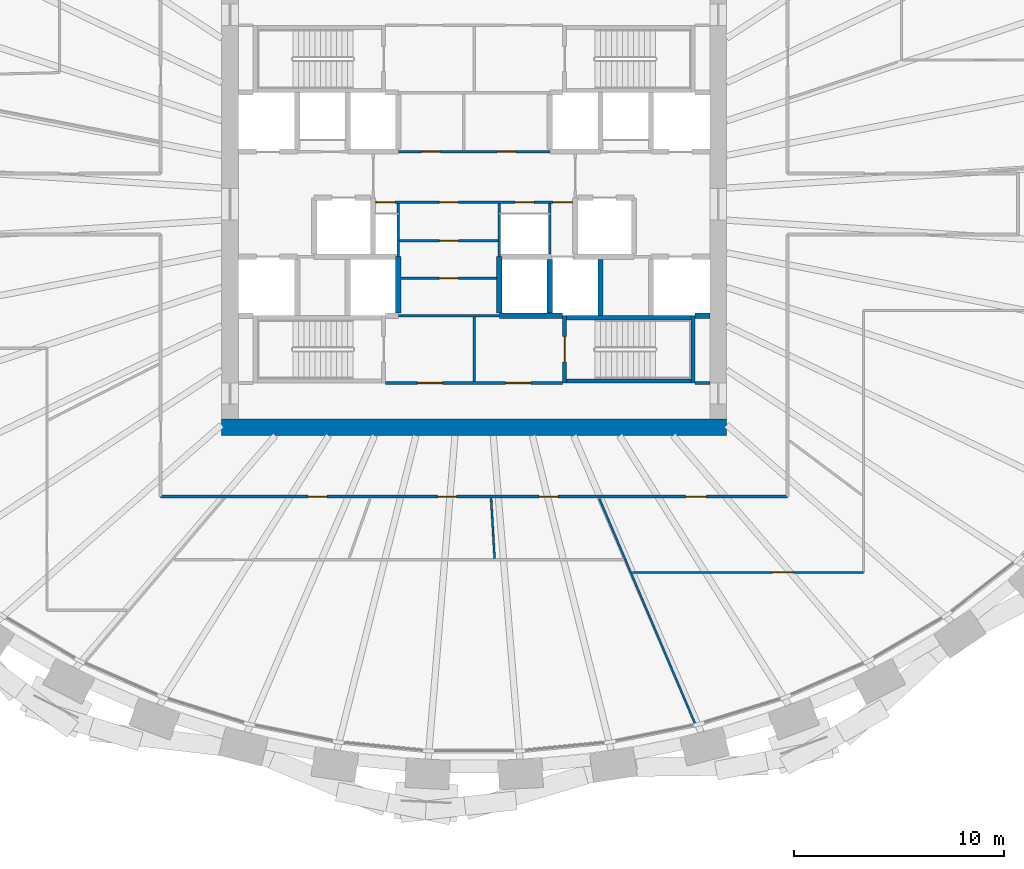
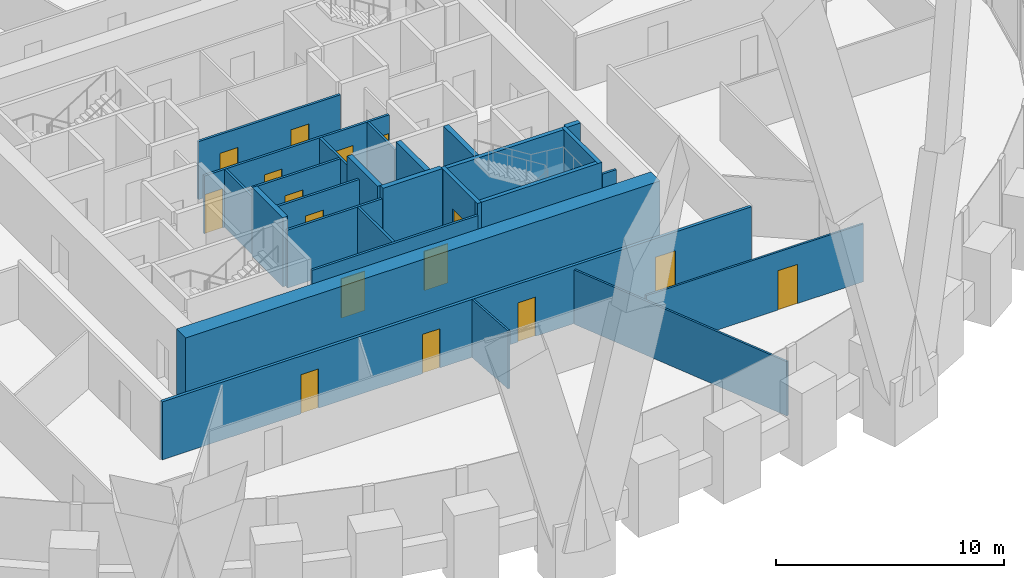
# One storey, part 8 of 12: 26 walls, 16 doors, 16 openings.
"""IFC4 building model written with IfcOpenShell, lengths in metres."""

from ifc_helpers import new_model, si_unit, direction, frame, frame_2d, origin, place, context, subcontext, project, spatial, rectangle, extrude, source, transform, mapped, material, layer, layer_set, type_object, element, fill, save


model = new_model("IFC4")

# Units and contexts
model_context = context("Model", 3, precision=1e-05, world=origin(), true_north=direction((0.0, 1.0)))
body_context = subcontext(model_context, "Body", "Model", "MODEL_VIEW")
ifc_project = project(units=[si_unit("LENGTHUNIT", "METRE"), si_unit("AREAUNIT", "SQUARE_METRE"), si_unit("VOLUMEUNIT", "CUBIC_METRE"), si_unit("PLANEANGLEUNIT", "RADIAN"), si_unit("MASSUNIT", "GRAM", prefix="KILO")], contexts=[model_context])

# Site, building, storey
site_placement = place(None, origin())
site = spatial("IfcSite", under=ifc_project, at=site_placement, CompositionType="ELEMENT")
building_placement = place(site_placement, origin())
building = spatial("IfcBuilding", under=site, at=building_placement, Name="Embergate Tower", CompositionType="ELEMENT")
storey_placement = place(building_placement, frame((0.0, 0.0, 222.89990234375)))
storey = spatial("IfcBuildingStorey", under=building, at=storey_placement, Name="L51", CompositionType="ELEMENT", Elevation=222.89990234375)

# Wall
ifc_material_1 = material(Name="Concrete C70", Category="concrete")
ifc_layer_1 = layer(ifc_material_1, 0.800048828125)
ifc_layer_set_1 = layer_set([ifc_layer_1], Name="Concrete C70")
wall_type_1 = type_object("IfcWallType", Name="Core outer wall C70 800", PredefinedType="SHEAR", material=ifc_layer_set_1)
shared_shape_1 = source(origin(), body_context, "Body", "SweptSolid", [
    extrude(rectangle(XDim=24.0, YDim=0.800048828125, at=frame_2d((12.0, 0.0))), origin(), (0.0, 0.0, 1.0), 3.900146484375),
])
wall_1_placement = place(storey_placement, frame((-12.0, -10.60009765625, -0.199951171875), z_axis=(0.0, 0.0, 1.0), x_axis=(1.0, 0.0, 0.0)))
element("IfcWall", 1, at=wall_1_placement, inside=storey, type_object=wall_type_1, Name="CW-L51-S", PredefinedType="SHEAR", context=body_context, shape_type="MappedRepresentation", body=[
    mapped(shared_shape_1, transform((0.0, 0.0, 0.0))),
])

# Wall, openings, doors
ifc_material_2 = material(Name="Core partition blockwork 120")
ifc_layer_2 = layer(ifc_material_2, 0.1201171875)
ifc_layer_set_2 = layer_set([ifc_layer_2], Name="Core partition blockwork 120")
wall_type_2 = type_object("IfcWallType", Name="Core partition blockwork 120", PredefinedType="PARTITIONING", material=ifc_layer_set_2)
shared_shape_2 = source(origin(), body_context, "Body", "SweptSolid", [
    extrude(rectangle(XDim=8.39990234375, YDim=0.1201171875, at=frame_2d((4.199951171875, 0.0))), origin(), (0.0, 0.0, 1.0), 3.10009765625),
])
wall_2_placement = place(storey_placement, frame((-4.199951171875, -8.5, 0.0), z_axis=(0.0, 0.0, 1.0), x_axis=(1.0, 0.0, 0.0)))
wall_2 = element("IfcWall", 2, at=wall_2_placement, inside=storey, type_object=wall_type_2, Name="IP-3 wall", PredefinedType="PARTITIONING", context=body_context, shape_type="MappedRepresentation", body=[
    mapped(shared_shape_2, transform((0.0, 0.0, 0.0))),
])
shared_shape_3 = source(origin(), body_context, "Body", "SweptSolid", [
    extrude(rectangle(XDim=1.199951171875, YDim=2.10009765625, at=frame_2d((0.60009765625, 1.050048828125))), frame((0.0, 0.070068359375, 0.0), z_axis=(0.0, -1.0, 0.0), x_axis=(1.0, 0.0, 0.0)), (0.0, 0.0, 1.0), 0.14013671875),
])
opening_1_placement = place(wall_2_placement, frame((1.5, 0.0, 0.0)))
opening_1 = element("IfcOpeningElement", 3, at=opening_1_placement, cuts=wall_2, Name="Opening IF-3f", PredefinedType="OPENING", context=body_context, shape_type="MappedRepresentation", body=[
    mapped(shared_shape_3, transform((0.0, 0.0, 0.0))),
])
opening_2_placement = place(wall_2_placement, frame((5.699951171875, 0.0, 0.0)))
opening_2 = element("IfcOpeningElement", 4, at=opening_2_placement, cuts=wall_2, Name="Opening IF-3f", PredefinedType="OPENING", context=body_context, shape_type="MappedRepresentation", body=[
    mapped(shared_shape_3, transform((0.0, 0.0, 0.0))),
])
ifc_material_3 = material(Name="Lobby fire door pair 1200")
door_type_1 = type_object("IfcDoorType", Name="Lobby fire door pair 1200", OperationType="DOUBLE_DOOR_SINGLE_SWING", PredefinedType="DOOR", material=ifc_material_3)
shared_shape_4 = source(origin(), body_context, "Body", "SweptSolid", [
    extrude(rectangle(XDim=1.199951171875, YDim=2.10009765625, at=frame_2d((0.60009765625, 1.050048828125))), frame((0.0, 0.02490234375, 0.0), z_axis=(0.0, -1.0, 0.0), x_axis=(1.0, 0.0, 0.0)), (0.0, 0.0, 1.0), 0.050048828125),
])
door_1_placement = place(opening_1_placement, origin())
door_1 = element("IfcDoor", 5, at=door_1_placement, inside=storey, type_object=door_type_1, Name="IF-3 door", OperationType="DOUBLE_DOOR_SINGLE_SWING", OverallHeight=2.10009765625, OverallWidth=1.199951171875, PredefinedType="DOOR", context=body_context, shape_type="MappedRepresentation", body=[
    mapped(shared_shape_4, transform((0.0, 0.0, 0.0))),
])
fill(opening_1, door_1)
door_2_placement = place(opening_2_placement, origin())
door_2 = element("IfcDoor", 6, at=door_2_placement, inside=storey, type_object=door_type_1, Name="IF-3 door", OperationType="DOUBLE_DOOR_SINGLE_SWING", OverallHeight=2.10009765625, OverallWidth=1.199951171875, PredefinedType="DOOR", context=body_context, shape_type="MappedRepresentation", body=[
    mapped(shared_shape_4, transform((0.0, 0.0, 0.0))),
])
fill(opening_2, door_2)

# Walls
ifc_material_4 = material(Name="Concrete C50", Category="concrete")
ifc_layer_3 = layer(ifc_material_4, 0.25)
ifc_layer_set_3 = layer_set([ifc_layer_3], Name="Concrete C50")
wall_type_3 = type_object("IfcWallType", Name="Hoistway wall reinforced concrete 250", PredefinedType="SHEAR", material=ifc_layer_set_3)
shared_shape_5 = source(origin(), body_context, "Body", "SweptSolid", [
    extrude(rectangle(XDim=2.675048828125, YDim=0.25, at=frame_2d((1.33740234375, 0.0))), origin(), (0.0, 0.0, 1.0), 3.7001953125),
])
for number, where, z_axis, x_axis, name in (
    (7, (-3.60009765625, -5.175048828125, 0.0), (0.0, 0.0, 1.0), (0.0, 1.0, 0.0), "HW-1 wall"),
    (8, (1.199951171875, -2.5, 0.0), (0.0, 0.0, 1.0), (0.0, -1.0, 0.0), "HW-1 wall"),
):
    element("IfcWall", number, at=place(storey_placement, frame(where, z_axis=z_axis, x_axis=x_axis)), inside=storey, type_object=wall_type_3, Name=name, PredefinedType="SHEAR", context=body_context, shape_type="MappedRepresentation", body=[
        mapped(shared_shape_5, transform((0.0, 0.0, 0.0))),
    ])
ifc_layer_4 = layer(ifc_material_4, 0.199951171875)
ifc_layer_set_4 = layer_set([ifc_layer_4], Name="Concrete C50")
wall_type_4 = type_object("IfcWallType", Name="Stair enclosure wall reinforced concrete 250", PredefinedType="SHEAR", material=ifc_layer_set_4)
shared_shape_6 = source(origin(), body_context, "Body", "SweptSolid", [
    extrude(rectangle(XDim=6.300048828125, YDim=0.199951171875, at=frame_2d((3.14990234375, 0.0))), origin(), (0.0, 0.0, 1.0), 3.7001953125),
])
for number, where, z_axis, x_axis, name in (
    (9, (4.199951171875, -5.39990234375, 0.0), (0.0, 0.0, 1.0), (1.0, 0.0, 0.0), "SE-1 wall"),
    (10, (4.199951171875, -8.39990234375, 0.0), (0.0, 0.0, 1.0), (1.0, 0.0, 0.0), "SE-1 wall"),
):
    element("IfcWall", number, at=place(storey_placement, frame(where, z_axis=z_axis, x_axis=x_axis)), inside=storey, type_object=wall_type_4, Name=name, PredefinedType="SHEAR", context=body_context, shape_type="MappedRepresentation", body=[
        mapped(shared_shape_6, transform((0.0, 0.0, 0.0))),
    ])
shared_shape_7 = source(origin(), body_context, "Body", "SweptSolid", [
    extrude(rectangle(XDim=2.550048828125, YDim=0.25, at=frame_2d((1.27490234375, 0.0))), origin(), (0.0, 0.0, 1.0), 3.7001953125),
])
wall_3_placement = place(storey_placement, frame((3.60009765625, -5.175048828125, 0.0), z_axis=(0.0, 0.0, 1.0), x_axis=(0.0, 1.0, 0.0)))
element("IfcWall", 11, at=wall_3_placement, inside=storey, type_object=wall_type_3, Name="HW-1 wall", PredefinedType="SHEAR", context=body_context, shape_type="MappedRepresentation", body=[
    mapped(shared_shape_7, transform((0.0, 0.0, 0.0))),
])

# Wall, opening, door
shared_shape_8 = source(origin(), body_context, "Body", "SweptSolid", [
    extrude(rectangle(XDim=3.199951171875, YDim=0.199951171875, at=frame_2d((1.60009765625, 0.0))), origin(), (0.0, 0.0, 1.0), 3.7001953125),
])
wall_4_placement = place(storey_placement, frame((4.300048828125, -5.300048828125, 0.0), z_axis=(0.0, 0.0, 1.0), x_axis=(0.0, -1.0, 0.0)))
wall_4 = element("IfcWall", 12, at=wall_4_placement, inside=storey, type_object=wall_type_4, Name="SE-1 wall", PredefinedType="SHEAR", context=body_context, shape_type="MappedRepresentation", body=[
    mapped(shared_shape_8, transform((0.0, 0.0, 0.0))),
])
shared_shape_9 = source(origin(), body_context, "Body", "SweptSolid", [
    extrude(rectangle(XDim=1.199951171875, YDim=2.10009765625, at=frame_2d((0.60009765625, 1.050048828125))), frame((0.0, 0.10986328125, 0.0), z_axis=(0.0, -1.0, 0.0), x_axis=(1.0, 0.0, 0.0)), (0.0, 0.0, 1.0), 0.219970703125),
])
opening_3_placement = place(wall_4_placement, frame((1.0, 0.0, 0.0)))
opening_3 = element("IfcOpeningElement", 13, at=opening_3_placement, cuts=wall_4, Name="Opening IF-2", PredefinedType="OPENING", context=body_context, shape_type="MappedRepresentation", body=[
    mapped(shared_shape_9, transform((0.0, 0.0, 0.0))),
])
ifc_material_5 = material(Name="Stair enclosure door 1200")
door_type_2 = type_object("IfcDoorType", Name="Stair enclosure door 1200", OperationType="SINGLE_SWING_LEFT", PredefinedType="DOOR", material=ifc_material_5)
door_3_placement = place(opening_3_placement, origin())
door_3 = element("IfcDoor", 14, at=door_3_placement, inside=storey, type_object=door_type_2, Name="IF-2 door", OperationType="SINGLE_SWING_LEFT", OverallHeight=2.10009765625, OverallWidth=1.199951171875, PredefinedType="DOOR", context=body_context, shape_type="MappedRepresentation", body=[
    mapped(shared_shape_4, transform((0.0, 0.0, 0.0))),
])
fill(opening_3, door_3)

# Wall, openings, doors
shared_shape_10 = source(origin(), body_context, "Body", "SweptSolid", [
    extrude(rectangle(XDim=9.35009765625, YDim=0.1201171875, at=frame_2d((4.675048828125, 0.0))), origin(), (0.0, 0.0, 1.0), 3.10009765625),
])
wall_5_placement = place(storey_placement, frame((-4.675048828125, 0.10009765625, 0.0), z_axis=(0.0, 0.0, 1.0), x_axis=(1.0, 0.0, 0.0)))
wall_5 = element("IfcWall", 15, at=wall_5_placement, inside=storey, type_object=wall_type_2, Name="IP-3 wall", PredefinedType="PARTITIONING", context=body_context, shape_type="MappedRepresentation", body=[
    mapped(shared_shape_10, transform((0.0, 0.0, 0.0))),
])
shared_shape_11 = source(origin(), body_context, "Body", "SweptSolid", [
    extrude(rectangle(XDim=0.89990234375, YDim=2.10009765625, at=frame_2d((0.449951171875, 1.050048828125))), frame((0.0, 0.070068359375, 0.0), z_axis=(0.0, -1.0, 0.0), x_axis=(1.0, 0.0, 0.0)), (0.0, 0.0, 1.0), 0.14013671875),
])
opening_4_placement = place(wall_5_placement, frame((8.425048828125, 0.0, 0.0)))
opening_4 = element("IfcOpeningElement", 16, at=opening_4_placement, cuts=wall_5, Name="Opening IF-3c", PredefinedType="OPENING", context=body_context, shape_type="MappedRepresentation", body=[
    mapped(shared_shape_11, transform((0.0, 0.0, 0.0))),
])
opening_5_placement = place(wall_5_placement, frame((0.02490234375, 0.0, 0.0)))
opening_5 = element("IfcOpeningElement", 17, at=opening_5_placement, cuts=wall_5, Name="Opening ID-1", PredefinedType="OPENING", context=body_context, shape_type="MappedRepresentation", body=[
    mapped(shared_shape_11, transform((0.0, 0.0, 0.0))),
])
opening_6_placement = place(wall_5_placement, frame((6.625, 0.0, 0.0)))
opening_6 = element("IfcOpeningElement", 18, at=opening_6_placement, cuts=wall_5, Name="Opening ID-1", PredefinedType="OPENING", context=body_context, shape_type="MappedRepresentation", body=[
    mapped(shared_shape_11, transform((0.0, 0.0, 0.0))),
])
opening_7_placement = place(wall_5_placement, frame((3.02490234375, 0.0, 0.0)))
opening_7 = element("IfcOpeningElement", 19, at=opening_7_placement, cuts=wall_5, Name="Opening ID-1", PredefinedType="OPENING", context=body_context, shape_type="MappedRepresentation", body=[
    mapped(shared_shape_11, transform((0.0, 0.0, 0.0))),
])
ifc_material_6 = material(Name="Lobby fire door pair 900")
door_type_3 = type_object("IfcDoorType", Name="Lobby fire door pair 900", OperationType="DOUBLE_DOOR_SINGLE_SWING", PredefinedType="DOOR", material=ifc_material_6)
shared_shape_12 = source(origin(), body_context, "Body", "SweptSolid", [
    extrude(rectangle(XDim=0.89990234375, YDim=2.10009765625, at=frame_2d((0.449951171875, 1.050048828125))), frame((0.0, 0.02490234375, 0.0), z_axis=(0.0, -1.0, 0.0), x_axis=(1.0, 0.0, 0.0)), (0.0, 0.0, 1.0), 0.050048828125),
])
door_4_placement = place(opening_4_placement, origin())
door_4 = element("IfcDoor", 20, at=door_4_placement, inside=storey, type_object=door_type_3, Name="IF-3 door", OperationType="DOUBLE_DOOR_SINGLE_SWING", OverallHeight=2.10009765625, OverallWidth=0.89990234375, PredefinedType="DOOR", context=body_context, shape_type="MappedRepresentation", body=[
    mapped(shared_shape_12, transform((0.0, 0.0, 0.0))),
])
fill(opening_4, door_4)
ifc_material_7 = material(Name="Interior door 900")
door_type_4 = type_object("IfcDoorType", Name="Interior door 900", OperationType="SINGLE_SWING_LEFT", PredefinedType="DOOR", material=ifc_material_7)
door_5_placement = place(opening_5_placement, origin())
door_5 = element("IfcDoor", 21, at=door_5_placement, inside=storey, type_object=door_type_4, Name="ID-1 door", OperationType="SINGLE_SWING_RIGHT", OverallHeight=2.10009765625, OverallWidth=0.89990234375, PredefinedType="DOOR", context=body_context, shape_type="MappedRepresentation", body=[
    mapped(shared_shape_12, transform((0.0, 0.0, 0.0))),
])
fill(opening_5, door_5)
door_6_placement = place(opening_6_placement, origin())
door_6 = element("IfcDoor", 22, at=door_6_placement, inside=storey, type_object=door_type_4, Name="ID-1 door", OperationType="SINGLE_SWING_LEFT", OverallHeight=2.10009765625, OverallWidth=0.89990234375, PredefinedType="DOOR", context=body_context, shape_type="MappedRepresentation", body=[
    mapped(shared_shape_12, transform((0.0, 0.0, 0.0))),
])
fill(opening_6, door_6)
door_7_placement = place(opening_7_placement, origin())
door_7 = element("IfcDoor", 23, at=door_7_placement, inside=storey, type_object=door_type_4, Name="ID-1 door", OperationType="SINGLE_SWING_RIGHT", OverallHeight=2.10009765625, OverallWidth=0.89990234375, PredefinedType="DOOR", context=body_context, shape_type="MappedRepresentation", body=[
    mapped(shared_shape_12, transform((0.0, 0.0, 0.0))),
])
fill(opening_7, door_7)

shared_shape_13 = source(origin(), body_context, "Body", "SweptSolid", [
    extrude(rectangle(XDim=7.2001953125, YDim=0.1201171875, at=frame_2d((3.60009765625, 0.0))), origin(), (0.0, 0.0, 1.0), 3.10009765625),
])
wall_6_placement = place(storey_placement, frame((3.60009765625, 2.5, 0.0), z_axis=(0.0, 0.0, 1.0), x_axis=(-1.0, 0.0, 0.0)))
wall_6 = element("IfcWall", 24, at=wall_6_placement, inside=storey, type_object=wall_type_2, Name="IP-3 wall", PredefinedType="PARTITIONING", context=body_context, shape_type="MappedRepresentation", body=[
    mapped(shared_shape_13, transform((0.0, 0.0, 0.0))),
])
opening_8_placement = place(wall_6_placement, frame((5.201904296875, 0.0, 0.0)))
opening_8 = element("IfcOpeningElement", 25, at=opening_8_placement, cuts=wall_6, Name="Opening ID-1", PredefinedType="OPENING", context=body_context, shape_type="MappedRepresentation", body=[
    mapped(shared_shape_11, transform((0.0, 0.0, 0.0))),
])
opening_9_placement = place(wall_6_placement, frame((1.60205078125, 0.0, 0.0)))
opening_9 = element("IfcOpeningElement", 26, at=opening_9_placement, cuts=wall_6, Name="Opening ID-1", PredefinedType="OPENING", context=body_context, shape_type="MappedRepresentation", body=[
    mapped(shared_shape_11, transform((0.0, 0.0, 0.0))),
])
door_8_placement = place(opening_8_placement, origin())
door_8 = element("IfcDoor", 27, at=door_8_placement, inside=storey, type_object=door_type_4, Name="ID-1 door", OperationType="SINGLE_SWING_LEFT", OverallHeight=2.10009765625, OverallWidth=0.89990234375, PredefinedType="DOOR", context=body_context, shape_type="MappedRepresentation", body=[
    mapped(shared_shape_12, transform((0.0, 0.0, 0.0))),
])
fill(opening_8, door_8)
door_9_placement = place(opening_9_placement, origin())
door_9 = element("IfcDoor", 28, at=door_9_placement, inside=storey, type_object=door_type_4, Name="ID-1 door", OperationType="SINGLE_SWING_RIGHT", OverallHeight=2.10009765625, OverallWidth=0.89990234375, PredefinedType="DOOR", context=body_context, shape_type="MappedRepresentation", body=[
    mapped(shared_shape_12, transform((0.0, 0.0, 0.0))),
])
fill(opening_9, door_9)

# Walls
shared_shape_14 = source(origin(), body_context, "Body", "SweptSolid", [
    extrude(rectangle(XDim=2.5400390625, YDim=0.1201171875, at=frame_2d((1.27001953125, 0.0))), origin(), (0.0, 0.0, 1.0), 3.10009765625),
])
for number, where, z_axis, x_axis, name in (
    (29, (-3.60009765625, -2.5, 0.0), (0.0, 0.0, 1.0), (0.0, 1.0, 0.0), "IP-3 wall"),
    (30, (1.199951171875, 0.0400390625, 0.0), (0.0, 0.0, 1.0), (0.0, -1.0, 0.0), "IP-3 wall"),
):
    element("IfcWall", number, at=place(storey_placement, frame(where, z_axis=z_axis, x_axis=x_axis)), inside=storey, type_object=wall_type_2, Name=name, PredefinedType="PARTITIONING", context=body_context, shape_type="MappedRepresentation", body=[
        mapped(shared_shape_14, transform((0.0, 0.0, 0.0))),
    ])
shared_shape_15 = source(origin(), body_context, "Body", "SweptSolid", [
    extrude(rectangle(XDim=2.4150390625, YDim=0.1201171875, at=frame_2d((1.20751953125, 0.0))), origin(), (0.0, 0.0, 1.0), 3.10009765625),
])
wall_7_placement = place(storey_placement, frame((3.60009765625, -2.375, 0.0), z_axis=(0.0, 0.0, 1.0), x_axis=(0.0, 1.0, 0.0)))
element("IfcWall", 31, at=wall_7_placement, inside=storey, type_object=wall_type_2, Name="IP-3 wall", PredefinedType="PARTITIONING", context=body_context, shape_type="MappedRepresentation", body=[
    mapped(shared_shape_15, transform((0.0, 0.0, 0.0))),
])
shared_shape_16 = source(origin(), body_context, "Body", "SweptSolid", [
    extrude(rectangle(XDim=3.079833984375, YDim=0.1201171875, at=frame_2d((1.5400390625, 0.0))), origin(), (0.0, 0.0, 1.0), 3.10009765625),
])
wall_8_placement = place(storey_placement, frame((0.0, -8.43994140625, 0.0), z_axis=(0.0, 0.0, 1.0), x_axis=(0.0, 1.0, 0.0)))
element("IfcWall", 32, at=wall_8_placement, inside=storey, type_object=wall_type_2, Name="IP-3 wall", PredefinedType="PARTITIONING", context=body_context, shape_type="MappedRepresentation", body=[
    mapped(shared_shape_16, transform((0.0, 0.0, 0.0))),
])
shared_shape_17 = source(origin(), body_context, "Body", "SweptSolid", [
    extrude(rectangle(XDim=4.800048828125, YDim=0.1201171875, at=frame_2d((2.39990234375, 0.0))), origin(), (0.0, 0.0, 1.0), 3.10009765625),
])
wall_9_placement = place(storey_placement, frame((1.199951171875, -5.300048828125, 0.0), z_axis=(0.0, 0.0, 1.0), x_axis=(-1.0, 0.0, 0.0)))
element("IfcWall", 33, at=wall_9_placement, inside=storey, type_object=wall_type_2, Name="IP-3 wall", PredefinedType="PARTITIONING", context=body_context, shape_type="MappedRepresentation", body=[
    mapped(shared_shape_17, transform((0.0, 0.0, 0.0))),
])

# Wall, opening, door
shared_shape_18 = source(origin(), body_context, "Body", "SweptSolid", [
    extrude(rectangle(XDim=4.550048828125, YDim=0.1201171875, at=frame_2d((2.27490234375, 0.0))), origin(), (0.0, 0.0, 1.0), 3.10009765625),
])
wall_10_placement = place(storey_placement, frame((1.074951171875, -3.51806640625, 0.0), z_axis=(0.0, 0.0, 1.0), x_axis=(-1.0, 0.0, 0.0)))
wall_10 = element("IfcWall", 34, at=wall_10_placement, inside=storey, type_object=wall_type_2, Name="IP-3 wall", PredefinedType="PARTITIONING", context=body_context, shape_type="MappedRepresentation", body=[
    mapped(shared_shape_18, transform((0.0, 0.0, 0.0))),
])
opening_10_placement = place(wall_10_placement, frame((1.824951171875, 0.0, 0.0)))
opening_10 = element("IfcOpeningElement", 35, at=opening_10_placement, cuts=wall_10, Name="Opening ID-1", PredefinedType="OPENING", context=body_context, shape_type="MappedRepresentation", body=[
    mapped(shared_shape_11, transform((0.0, 0.0, 0.0))),
])
door_10_placement = place(opening_10_placement, origin())
door_10 = element("IfcDoor", 36, at=door_10_placement, inside=storey, type_object=door_type_4, Name="ID-1 door", OperationType="SINGLE_SWING_RIGHT", OverallHeight=2.10009765625, OverallWidth=0.89990234375, PredefinedType="DOOR", context=body_context, shape_type="MappedRepresentation", body=[
    mapped(shared_shape_12, transform((0.0, 0.0, 0.0))),
])
fill(opening_10, door_10)

# Walls
shared_shape_19 = source(origin(), body_context, "Body", "SweptSolid", [
    extrude(rectangle(XDim=0.697998046875, YDim=0.1201171875, at=frame_2d((0.34912109375, 0.0))), origin(), (0.0, 0.0, 1.0), 3.10009765625),
])
wall_11_placement = place(storey_placement, frame((11.199951171875, -8.5, 0.0), z_axis=(0.0, 0.0, 1.0), x_axis=(-1.0, 0.0, 0.0)))
element("IfcWall", 37, at=wall_11_placement, inside=storey, type_object=wall_type_2, Name="IP-3 wall", PredefinedType="PARTITIONING", context=body_context, shape_type="MappedRepresentation", body=[
    mapped(shared_shape_19, transform((0.0, 0.0, 0.0))),
])
shared_shape_20 = source(origin(), body_context, "Body", "SweptSolid", [
    extrude(rectangle(XDim=3.0, YDim=0.25, at=frame_2d((1.5, 0.0))), origin(), (0.0, 0.0, 1.0), 3.7001953125),
])
wall_12_placement = place(storey_placement, frame((1.199951171875, -5.300048828125, 0.0), z_axis=(0.0, 0.0, 1.0), x_axis=(1.0, 0.0, 0.0)))
element("IfcWall", 38, at=wall_12_placement, inside=storey, type_object=wall_type_3, Name="HW-1 wall", PredefinedType="SHEAR", context=body_context, shape_type="MappedRepresentation", body=[
    mapped(shared_shape_20, transform((0.0, 0.0, 0.0))),
])
shared_shape_21 = source(origin(), body_context, "Body", "SweptSolid", [
    extrude(rectangle(XDim=3.196044921875, YDim=0.199951171875, at=frame_2d((1.59814453125, 0.0))), origin(), (0.0, 0.0, 1.0), 3.7001953125),
])
wall_13_placement = place(storey_placement, frame((10.39990234375, -8.498046875, 0.0), z_axis=(0.0, 0.0, 1.0), x_axis=(0.0, 1.0, 0.0)))
element("IfcWall", 39, at=wall_13_placement, inside=storey, type_object=wall_type_4, Name="SE-1 wall", PredefinedType="SHEAR", context=body_context, shape_type="MappedRepresentation", body=[
    mapped(shared_shape_21, transform((0.0, 0.0, 0.0))),
])
shared_shape_22 = source(origin(), body_context, "Body", "SweptSolid", [
    extrude(rectangle(XDim=0.697998046875, YDim=0.25, at=frame_2d((0.34912109375, 0.0))), origin(), (0.0, 0.0, 1.0), 3.7001953125),
])
wall_14_placement = place(storey_placement, frame((10.501953125, -5.300048828125, 0.0), z_axis=(0.0, 0.0, 1.0), x_axis=(1.0, 0.0, 0.0)))
element("IfcWall", 40, at=wall_14_placement, inside=storey, type_object=wall_type_3, Name="HW-1 wall", PredefinedType="SHEAR", context=body_context, shape_type="MappedRepresentation", body=[
    mapped(shared_shape_22, transform((0.0, 0.0, 0.0))),
])
shared_shape_23 = source(origin(), body_context, "Body", "SweptSolid", [
    extrude(rectangle(XDim=2.671142578125, YDim=0.25, at=frame_2d((1.33544921875, 0.0))), origin(), (0.0, 0.0, 1.0), 3.7001953125),
])
wall_15_placement = place(storey_placement, frame((6.0, -5.298095703125, 0.0), z_axis=(0.0, 0.0, 1.0), x_axis=(0.0, 1.0, 0.0)))
element("IfcWall", 41, at=wall_15_placement, inside=storey, type_object=wall_type_3, Name="HW-1 wall", PredefinedType="SHEAR", context=body_context, shape_type="MappedRepresentation", body=[
    mapped(shared_shape_23, transform((0.0, 0.0, 0.0))),
])

# Wall, opening, door
shared_shape_24 = source(origin(), body_context, "Body", "SweptSolid", [
    extrude(rectangle(XDim=4.679931640625, YDim=0.1201171875, at=frame_2d((2.33984375, 0.0))), origin(), (0.0, 0.0, 1.0), 3.10009765625),
])
wall_16_placement = place(storey_placement, frame((1.139892578125, -1.736083984375, 0.0), z_axis=(0.0, 0.0, 1.0), x_axis=(-1.0, 0.0, 0.0)))
wall_16 = element("IfcWall", 42, at=wall_16_placement, inside=storey, type_object=wall_type_2, Name="IP-3 wall", PredefinedType="PARTITIONING", context=body_context, shape_type="MappedRepresentation", body=[
    mapped(shared_shape_24, transform((0.0, 0.0, 0.0))),
])
opening_11_placement = place(wall_16_placement, frame((1.889892578125, 0.0, 0.0)))
opening_11 = element("IfcOpeningElement", 43, at=opening_11_placement, cuts=wall_16, Name="Opening ID-1", PredefinedType="OPENING", context=body_context, shape_type="MappedRepresentation", body=[
    mapped(shared_shape_11, transform((0.0, 0.0, 0.0))),
])
door_11_placement = place(opening_11_placement, origin())
door_11 = element("IfcDoor", 44, at=door_11_placement, inside=storey, type_object=door_type_4, Name="ID-1 door", OperationType="SINGLE_SWING_RIGHT", OverallHeight=2.10009765625, OverallWidth=0.89990234375, PredefinedType="DOOR", context=body_context, shape_type="MappedRepresentation", body=[
    mapped(shared_shape_12, transform((0.0, 0.0, 0.0))),
])
fill(opening_11, door_11)

# Wall, openings, doors
ifc_material_8 = material(Name="Corridor wall dry-lined 150 wet")
ifc_layer_5 = layer(ifc_material_8, 0.14990234375)
ifc_layer_set_5 = layer_set([ifc_layer_5], Name="Corridor wall dry-lined 150 wet")
wall_type_5 = type_object("IfcWallType", Name="Corridor wall dry-lined 150 wet", PredefinedType="PLUMBINGWALL", material=ifc_layer_set_5)
shared_shape_25 = source(origin(), body_context, "Body", "SweptSolid", [
    extrude(rectangle(XDim=29.7998046875, YDim=0.14990234375, at=frame_2d((14.89990234375, 0.0))), origin(), (0.0, 0.0, 1.0), 3.10009765625),
])
wall_17_placement = place(storey_placement, frame((14.89990234375, -13.89990234375, 0.0), z_axis=(0.0, 0.0, 1.0), x_axis=(-1.0, 0.0, 0.0)))
wall_17 = element("IfcWall", 45, at=wall_17_placement, inside=storey, type_object=wall_type_5, Name="IP-2 wall", PredefinedType="PLUMBINGWALL", context=body_context, shape_type="MappedRepresentation", body=[
    mapped(shared_shape_25, transform((0.0, 0.0, 0.0))),
])
shared_shape_26 = source(origin(), body_context, "Body", "SweptSolid", [
    extrude(rectangle(XDim=0.89990234375, YDim=2.10009765625, at=frame_2d((0.449951171875, 1.050048828125))), frame((0.0, 0.0849609375, 0.0), z_axis=(0.0, -1.0, 0.0), x_axis=(1.0, 0.0, 0.0)), (0.0, 0.0, 1.0), 0.169921875),
])
opening_12_placement = place(wall_17_placement, frame((21.888916015625, 0.0, 0.0)))
opening_12 = element("IfcOpeningElement", 46, at=opening_12_placement, cuts=wall_17, Name="Opening IF-1c", PredefinedType="OPENING", context=body_context, shape_type="MappedRepresentation", body=[
    mapped(shared_shape_26, transform((0.0, 0.0, 0.0))),
])
opening_13_placement = place(wall_17_placement, frame((15.7451171875, 0.0, 0.0)))
opening_13 = element("IfcOpeningElement", 47, at=opening_13_placement, cuts=wall_17, Name="Opening IF-1c", PredefinedType="OPENING", context=body_context, shape_type="MappedRepresentation", body=[
    mapped(shared_shape_26, transform((0.0, 0.0, 0.0))),
])
opening_14_placement = place(wall_17_placement, frame((10.9130859375, 0.0, 0.0)))
opening_14 = element("IfcOpeningElement", 48, at=opening_14_placement, cuts=wall_17, Name="Opening IF-1c", PredefinedType="OPENING", context=body_context, shape_type="MappedRepresentation", body=[
    mapped(shared_shape_26, transform((0.0, 0.0, 0.0))),
])
shared_shape_27 = source(origin(), body_context, "Body", "SweptSolid", [
    extrude(rectangle(XDim=1.0, YDim=2.10009765625, at=frame_2d((0.5, 1.050048828125))), frame((0.0, 0.0849609375, 0.0), z_axis=(0.0, -1.0, 0.0), x_axis=(1.0, 0.0, 0.0)), (0.0, 0.0, 1.0), 0.169921875),
])
opening_15_placement = place(wall_17_placement, frame((3.846923828125, 0.0, 0.0)))
opening_15 = element("IfcOpeningElement", 49, at=opening_15_placement, cuts=wall_17, Name="Opening ID-2", PredefinedType="OPENING", context=body_context, shape_type="MappedRepresentation", body=[
    mapped(shared_shape_27, transform((0.0, 0.0, 0.0))),
])
ifc_material_9 = material(Name="Escape fire door 900")
door_type_5 = type_object("IfcDoorType", Name="Escape fire door 900", OperationType="SINGLE_SWING_LEFT", PredefinedType="DOOR", material=ifc_material_9)
door_12_placement = place(opening_12_placement, origin())
door_12 = element("IfcDoor", 50, at=door_12_placement, inside=storey, type_object=door_type_5, Name="IF-1 door", OperationType="SINGLE_SWING_LEFT", OverallHeight=2.10009765625, OverallWidth=0.89990234375, PredefinedType="DOOR", context=body_context, shape_type="MappedRepresentation", body=[
    mapped(shared_shape_12, transform((0.0, 0.0, 0.0))),
])
fill(opening_12, door_12)
door_13_placement = place(opening_13_placement, origin())
door_13 = element("IfcDoor", 51, at=door_13_placement, inside=storey, type_object=door_type_5, Name="IF-1 door", OperationType="SINGLE_SWING_LEFT", OverallHeight=2.10009765625, OverallWidth=0.89990234375, PredefinedType="DOOR", context=body_context, shape_type="MappedRepresentation", body=[
    mapped(shared_shape_12, transform((0.0, 0.0, 0.0))),
])
fill(opening_13, door_13)
door_14_placement = place(opening_14_placement, origin())
door_14 = element("IfcDoor", 52, at=door_14_placement, inside=storey, type_object=door_type_5, Name="IF-1 door", OperationType="SINGLE_SWING_LEFT", OverallHeight=2.10009765625, OverallWidth=0.89990234375, PredefinedType="DOOR", context=body_context, shape_type="MappedRepresentation", body=[
    mapped(shared_shape_12, transform((0.0, 0.0, 0.0))),
])
fill(opening_14, door_14)
ifc_material_10 = material(Name="Interior door 1000")
door_type_6 = type_object("IfcDoorType", Name="Interior door 1000", OperationType="SINGLE_SWING_LEFT", PredefinedType="DOOR", material=ifc_material_10)
shared_shape_28 = source(origin(), body_context, "Body", "SweptSolid", [
    extrude(rectangle(XDim=1.0, YDim=2.10009765625, at=frame_2d((0.5, 1.050048828125))), frame((0.0, 0.02490234375, 0.0), z_axis=(0.0, -1.0, 0.0), x_axis=(1.0, 0.0, 0.0)), (0.0, 0.0, 1.0), 0.050048828125),
])
door_15_placement = place(opening_15_placement, origin())
door_15 = element("IfcDoor", 53, at=door_15_placement, inside=storey, type_object=door_type_6, Name="ID-2 door", OperationType="SINGLE_SWING_RIGHT", OverallHeight=2.10009765625, OverallWidth=1.0, PredefinedType="DOOR", context=body_context, shape_type="MappedRepresentation", body=[
    mapped(shared_shape_28, transform((0.0, 0.0, 0.0))),
])
fill(opening_15, door_15)

# Walls
ifc_material_11 = material(Name="Partition dry-lined 100 wet")
ifc_layer_6 = layer(ifc_material_11, 0.10009765625)
ifc_layer_set_6 = layer_set([ifc_layer_6], Name="Partition dry-lined 100 wet")
wall_type_6 = type_object("IfcWallType", Name="Partition dry-lined 100 wet", PredefinedType="PLUMBINGWALL", material=ifc_layer_set_6)
shared_shape_29 = source(origin(), body_context, "Body", "SweptSolid", [
    extrude(rectangle(XDim=2.8798828125, YDim=0.10009765625, at=frame_2d((1.43994140625, 0.0))), origin(), (0.0, 0.0, 1.0), 3.10009765625),
])
wall_18_placement = place(storey_placement, frame((0.806884765625, -13.97509765625, 0.0), z_axis=(0.0, 0.0, 1.0), x_axis=(0.057648532567, -0.998336940463, 0.0)))
element("IfcWall", 54, at=wall_18_placement, inside=storey, type_object=wall_type_6, Name="IP-1 wall", PredefinedType="PLUMBINGWALL", context=body_context, shape_type="MappedRepresentation", body=[
    mapped(shared_shape_29, transform((0.0, 0.0, 0.0))),
])
shared_shape_30 = source(origin(), body_context, "Body", "SweptSolid", [
    extrude(rectangle(XDim=11.678955078125, YDim=0.10009765625, at=frame_2d((5.83935546875, 0.0))), origin(), (0.0, 0.0, 1.0), 2.900146484375),
])
wall_19_placement = place(storey_placement, frame((10.52099609375, -24.742919921875, 0.0), z_axis=(0.0, 0.0, 1.0), x_axis=(-0.391303971725, 0.92026148551, 0.0)))
element("IfcWall", 55, at=wall_19_placement, inside=storey, type_object=wall_type_6, Name="IP-1 wall", PredefinedType="PLUMBINGWALL", context=body_context, shape_type="MappedRepresentation", body=[
    mapped(shared_shape_30, transform((0.0, 0.0, 0.0))),
])

# Wall, opening, door
ifc_material_12 = material(Name="Partition dry-lined 100")
ifc_layer_7 = layer(ifc_material_12, 0.10009765625)
ifc_layer_set_7 = layer_set([ifc_layer_7], Name="Partition dry-lined 100")
wall_type_7 = type_object("IfcWallType", Name="Partition dry-lined 100", PredefinedType="PARTITIONING", material=ifc_layer_set_7)
shared_shape_31 = source(origin(), body_context, "Body", "SweptSolid", [
    extrude(rectangle(XDim=10.98291015625, YDim=0.10009765625, at=frame_2d((5.491455078125, 0.0))), origin(), (0.0, 0.0, 1.0), 3.10009765625),
])
wall_20_placement = place(storey_placement, frame((18.5, -17.5, 0.0), z_axis=(0.0, 0.0, 1.0), x_axis=(-1.0, 0.0, 0.0)))
wall_20 = element("IfcWall", 56, at=wall_20_placement, inside=storey, type_object=wall_type_7, Name="IP-1 wall", PredefinedType="PARTITIONING", context=body_context, shape_type="MappedRepresentation", body=[
    mapped(shared_shape_31, transform((0.0, 0.0, 0.0))),
])
shared_shape_32 = source(origin(), body_context, "Body", "SweptSolid", [
    extrude(rectangle(XDim=1.0, YDim=2.10009765625, at=frame_2d((0.5, 1.050048828125))), frame((0.0, 0.06005859375, 0.0), z_axis=(0.0, -1.0, 0.0), x_axis=(1.0, 0.0, 0.0)), (0.0, 0.0, 1.0), 0.1201171875),
])
opening_16_placement = place(wall_20_placement, frame((3.326904296875, 0.0, 0.0)))
opening_16 = element("IfcOpeningElement", 57, at=opening_16_placement, cuts=wall_20, Name="Opening ID-2", PredefinedType="OPENING", context=body_context, shape_type="MappedRepresentation", body=[
    mapped(shared_shape_32, transform((0.0, 0.0, 0.0))),
])
door_16_placement = place(opening_16_placement, origin())
door_16 = element("IfcDoor", 58, at=door_16_placement, inside=storey, type_object=door_type_6, Name="ID-2 door", OperationType="SINGLE_SWING_RIGHT", OverallHeight=2.10009765625, OverallWidth=1.0, PredefinedType="DOOR", context=body_context, shape_type="MappedRepresentation", body=[
    mapped(shared_shape_28, transform((0.0, 0.0, 0.0))),
])
fill(opening_16, door_16)

save(model, "model.ifc")
